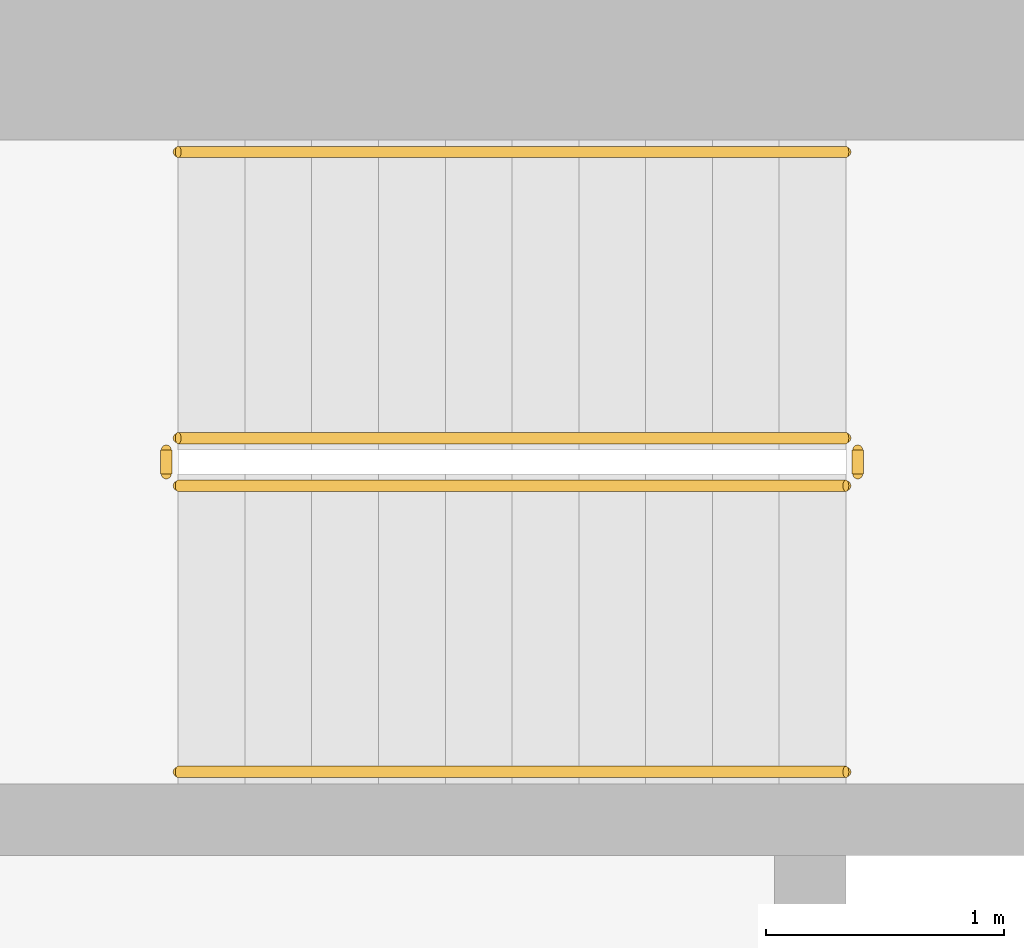
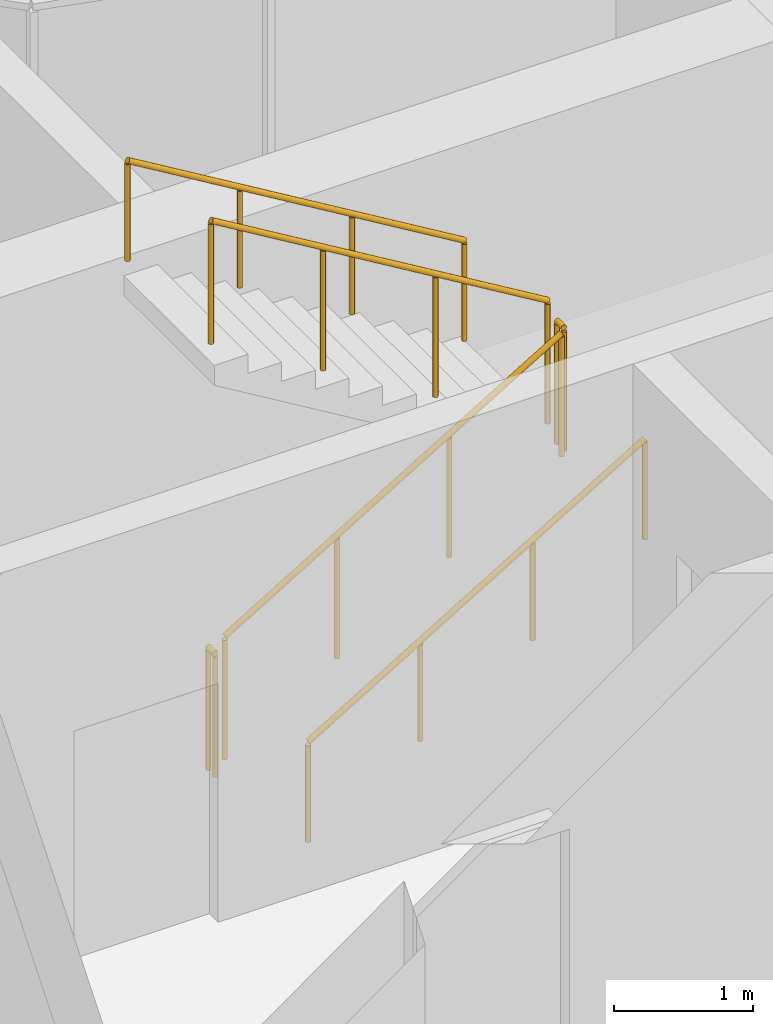
# One storey, part 20 of 23: 6 railings.
"""IFC4 building model written with IfcOpenShell, lengths in metres."""

from ifc_helpers import new_model, si_unit, direction, frame, origin, origin_2d, place, context, subcontext, project, spatial, circle, extrude, material, type_object, element, save


model = new_model("IFC4")

# Units and contexts
model_context = context("Model", 3, precision=1e-05, world=origin(), true_north=direction((0.0, 1.0)))
body_context = subcontext(model_context, "Body", "Model", "MODEL_VIEW")
ifc_project = project(units=[si_unit("LENGTHUNIT", "METRE"), si_unit("AREAUNIT", "SQUARE_METRE"), si_unit("VOLUMEUNIT", "CUBIC_METRE"), si_unit("PLANEANGLEUNIT", "RADIAN"), si_unit("MASSUNIT", "GRAM", prefix="KILO")], contexts=[model_context])

# Site, building, storey
site_placement = place(None, origin())
site = spatial("IfcSite", under=ifc_project, at=site_placement, CompositionType="ELEMENT")
building_placement = place(site_placement, origin())
building = spatial("IfcBuilding", under=site, at=building_placement, Name="Ogive Portal Towers", CompositionType="ELEMENT")
storey_placement = place(building_placement, frame((0.0, 0.0, 186.60009765625)))
storey = spatial("IfcBuildingStorey", under=building, at=storey_placement, Name="L46", CompositionType="ELEMENT", Elevation=186.60009765625)

# Railings
ifc_material_1 = material(Name="Stainless steel balustrade", Category="steel")
railing_type_1 = type_object("IfcRailingType", Name="INT-GUARD", PredefinedType="GUARDRAIL", material=ifc_material_1)
railing_1_placement = place(storey_placement, frame((52.550048828125, 37.60009765625, 0.16796875)))
element("IfcRailing", 1, at=railing_1_placement, inside=storey, type_object=railing_type_1, Name="L46 ST-A2 stair guard 1", PredefinedType="GUARDRAIL", context=body_context, shape_type="SweptSolid", body=[
    extrude(circle(Radius=0.02392578125, at=origin_2d()), frame((0.0, 0.0, 1.076171875), z_axis=(0.857242210791, 0.0, 0.514913383045), x_axis=(0.0, 1.0, 0.0)), (0.0, 0.0, 1.0), 3.266357421875),
    extrude(circle(Radius=0.02099609375, at=origin_2d()), origin(), (0.0, 0.0, 1.0), 1.052001953125),
    extrude(circle(Radius=0.02099609375, at=origin_2d()), frame((0.933349609375, 0.0, 0.560546875)), (0.0, 0.0, 1.0), 1.052001953125),
    extrude(circle(Radius=0.02099609375, at=origin_2d()), frame((1.86669921875, 0.0, 1.121337890625)), (0.0, 0.0, 1.0), 1.052001953125),
    extrude(circle(Radius=0.02099609375, at=origin_2d()), frame((2.800048828125, 0.0, 1.681884765625)), (0.0, 0.0, 1.0), 1.052001953125),
])
railing_2_placement = place(storey_placement, frame((55.39990234375, 37.64990234375, 1.849853515625)))
element("IfcRailing", 2, at=railing_2_placement, inside=storey, type_object=railing_type_1, Name="L46 ST-A2 stair guard 2", PredefinedType="GUARDRAIL", context=body_context, shape_type="SweptSolid", body=[
    extrude(circle(Radius=0.02392578125, at=origin_2d()), frame((0.0, 0.0, 1.076171875), z_axis=(0.0, 1.0, 0.0), x_axis=(-1.0, 0.0, 0.0)), (0.0, 0.0, 1.0), 0.10009765625),
    extrude(circle(Radius=0.02099609375, at=origin_2d()), origin(), (0.0, 0.0, 1.0), 1.052001953125),
    extrude(circle(Radius=0.02099609375, at=origin_2d()), frame((0.0, 0.10009765625, 0.0)), (0.0, 0.0, 1.0), 1.052001953125),
])
railing_3_placement = place(storey_placement, frame((55.35009765625, 37.800048828125, 2.01806640625)))
element("IfcRailing", 3, at=railing_3_placement, inside=storey, type_object=railing_type_1, Name="L46 ST-A2 stair guard 3", PredefinedType="GUARDRAIL", context=body_context, shape_type="SweptSolid", body=[
    extrude(circle(Radius=0.02392578125, at=origin_2d()), frame((0.0, 0.0, 1.076171875), z_axis=(-0.857242210791, 0.0, 0.514913383045), x_axis=(0.0, -1.0, 0.0)), (0.0, 0.0, 1.0), 3.266357421875),
    extrude(circle(Radius=0.02099609375, at=origin_2d()), origin(), (0.0, 0.0, 1.0), 1.052001953125),
    extrude(circle(Radius=0.02099609375, at=origin_2d()), frame((-0.933349609375, 0.0, 0.560546875)), (0.0, 0.0, 1.0), 1.052001953125),
    extrude(circle(Radius=0.02099609375, at=origin_2d()), frame((-1.86669921875, 0.0, 1.121337890625)), (0.0, 0.0, 1.0), 1.052001953125),
    extrude(circle(Radius=0.02099609375, at=origin_2d()), frame((-2.800048828125, 0.0, 1.681884765625)), (0.0, 0.0, 1.0), 1.052001953125),
])
railing_4_placement = place(storey_placement, frame((52.5, 37.64990234375, 0.0)))
element("IfcRailing", 4, at=railing_4_placement, inside=storey, type_object=railing_type_1, Name="L46 ST-A2 stair guard 4", PredefinedType="GUARDRAIL", context=body_context, shape_type="SweptSolid", body=[
    extrude(circle(Radius=0.02392578125, at=origin_2d()), frame((0.0, 0.0, 1.076171875), z_axis=(0.0, 1.0, 0.0), x_axis=(-1.0, 0.0, 0.0)), (0.0, 0.0, 1.0), 0.10009765625),
    extrude(circle(Radius=0.02099609375, at=origin_2d()), origin(), (0.0, 0.0, 1.0), 1.052001953125),
    extrude(circle(Radius=0.02099609375, at=origin_2d()), frame((0.0, 0.10009765625, 0.0)), (0.0, 0.0, 1.0), 1.052001953125),
])
ifc_material_2 = material(Name="Stainless steel handrail", Category="steel")
railing_type_2 = type_object("IfcRailingType", Name="INT-HANDRAIL", PredefinedType="HANDRAIL", material=ifc_material_2)
railing_5_placement = place(storey_placement, frame((52.550048828125, 36.39990234375, 0.16796875)))
element("IfcRailing", 5, at=railing_5_placement, inside=storey, type_object=railing_type_2, Name="L46 ST-A2 stair handrail 1", PredefinedType="HANDRAIL", context=body_context, shape_type="SweptSolid", body=[
    extrude(circle(Radius=0.02392578125, at=origin_2d()), frame((0.0, 0.0, 0.8759765625), z_axis=(0.857242210791, 0.0, 0.514913383045), x_axis=(0.0, 1.0, 0.0)), (0.0, 0.0, 1.0), 3.266357421875),
    extrude(circle(Radius=0.02099609375, at=origin_2d()), origin(), (0.0, 0.0, 1.0), 0.851806640625),
    extrude(circle(Radius=0.02099609375, at=origin_2d()), frame((0.933349609375, 0.0, 0.560546875)), (0.0, 0.0, 1.0), 0.851806640625),
    extrude(circle(Radius=0.02099609375, at=origin_2d()), frame((1.86669921875, 0.0, 1.121337890625)), (0.0, 0.0, 1.0), 0.851806640625),
    extrude(circle(Radius=0.02099609375, at=origin_2d()), frame((2.800048828125, 0.0, 1.681884765625)), (0.0, 0.0, 1.0), 0.851806640625),
])
railing_6_placement = place(storey_placement, frame((55.35009765625, 39.0, 2.01806640625)))
element("IfcRailing", 6, at=railing_6_placement, inside=storey, type_object=railing_type_2, Name="L46 ST-A2 stair handrail 2", PredefinedType="HANDRAIL", context=body_context, shape_type="SweptSolid", body=[
    extrude(circle(Radius=0.02392578125, at=origin_2d()), frame((0.0, 0.0, 0.8759765625), z_axis=(-0.857242210791, 0.0, 0.514913383045), x_axis=(0.0, -1.0, 0.0)), (0.0, 0.0, 1.0), 3.266357421875),
    extrude(circle(Radius=0.02099609375, at=origin_2d()), origin(), (0.0, 0.0, 1.0), 0.851806640625),
    extrude(circle(Radius=0.02099609375, at=origin_2d()), frame((-0.933349609375, 0.0, 0.560546875)), (0.0, 0.0, 1.0), 0.851806640625),
    extrude(circle(Radius=0.02099609375, at=origin_2d()), frame((-1.86669921875, 0.0, 1.121337890625)), (0.0, 0.0, 1.0), 0.851806640625),
    extrude(circle(Radius=0.02099609375, at=origin_2d()), frame((-2.800048828125, 0.0, 1.681884765625)), (0.0, 0.0, 1.0), 0.851806640625),
])

save(model, "model.ifc")
